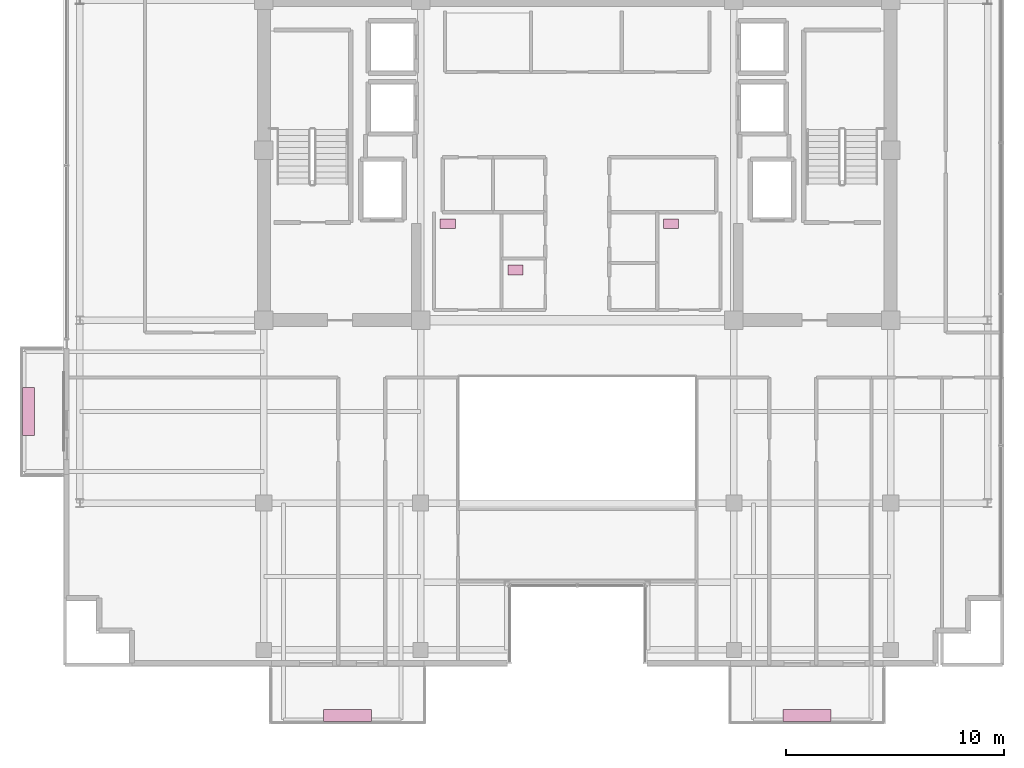
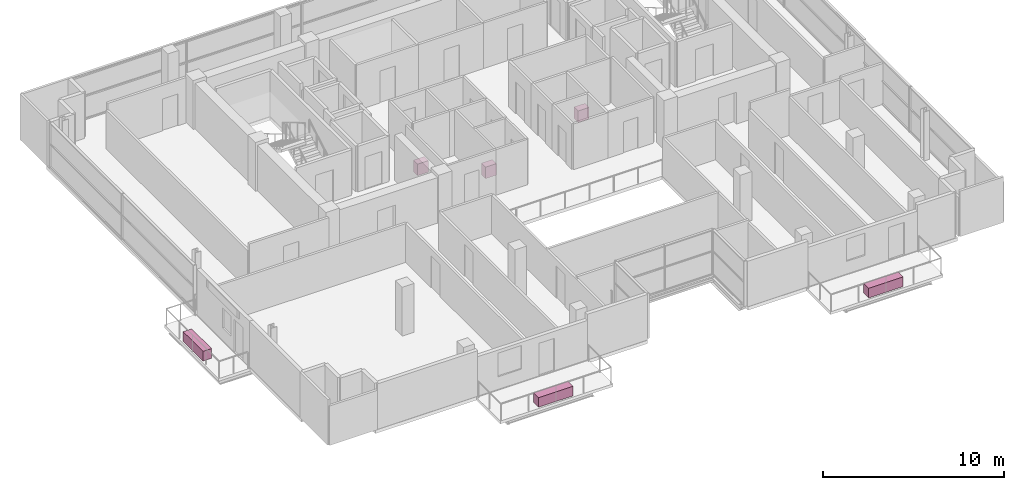
# One storey, part 22 of 22: 6 furnishings.
"""IFC4 building model written with IfcOpenShell, lengths in metres."""

from ifc_helpers import new_model, si_unit, direction, frame, origin, origin_2d, place, context, subcontext, project, spatial, rectangle, extrude, source, transform, mapped, material, type_object, element, save


model = new_model("IFC4")

# Units and contexts
model_context = context("Model", 3, precision=1e-05, world=origin(), true_north=direction((0.0, 1.0)))
body_context = subcontext(model_context, "Body", "Model", "MODEL_VIEW")
ifc_project = project(units=[si_unit("LENGTHUNIT", "METRE"), si_unit("AREAUNIT", "SQUARE_METRE"), si_unit("VOLUMEUNIT", "CUBIC_METRE"), si_unit("PLANEANGLEUNIT", "RADIAN"), si_unit("MASSUNIT", "GRAM", prefix="KILO")], contexts=[model_context])

# Site, building, storey
site_placement = place(None, origin())
site = spatial("IfcSite", under=ifc_project, at=site_placement, CompositionType="ELEMENT")
building_placement = place(site_placement, origin())
building = spatial("IfcBuilding", under=site, at=building_placement, Name="Zarnakvel Exchange Tower", CompositionType="ELEMENT")
storey_placement = place(building_placement, frame((0.0, 0.0, 222.10009765625)))
storey = spatial("IfcBuildingStorey", under=building, at=storey_placement, Name="L62", CompositionType="ELEMENT", Elevation=222.10009765625)

# Furnishings
ifc_material_1 = material(Name="Architectural Bronze Anodised Aluminium", Category="aluminium")
furnishing_element_type_1 = type_object("IfcFurnishingElementType", Name="PLNT-01", material=ifc_material_1)
shared_shape_1 = source(origin(), body_context, "Body", "SweptSolid", [
    extrude(rectangle(XDim=2.199951171875, YDim=0.550048828125, at=origin_2d()), origin(), (0.0, 0.0, 1.0), 0.64990234375),
])
for number, where, z_axis, x_axis, name in (
    (1, (-10.550048828125, -19.3701171875, -0.03515625), (0.0, 0.0, 1.0), (1.0, 0.0, 0.0), "L62 Balcony Greenery Planter BAL-L62-SW"),
    (2, (10.550048828125, -19.3701171875, -0.03515625), (0.0, 0.0, 1.0), (1.0, 0.0, 0.0), "L62 Balcony Greenery Planter BAL-L62-SE"),
    (3, (-25.219970703125, -5.39990234375, -0.03515625), (0.0, 0.0, 1.0), (0.0, 1.0, 0.0), "L62 Balcony Greenery Planter BAL-L62-W"),
):
    element("IfcFurnishingElement", number, at=place(storey_placement, frame(where, z_axis=z_axis, x_axis=x_axis)), inside=storey, type_object=furnishing_element_type_1, Name=name, ObjectType="PLANTER", context=body_context, shape_type="MappedRepresentation", body=[
        mapped(shared_shape_1, transform((0.0, 0.0, 0.0), x_axis=(1.0, 0.0, 0.0), y_axis=(0.0, 1.0, 0.0), z_axis=(0.0, 0.0, 1.0), scale=1.0)),
    ])
ifc_material_2 = material(Name="Vitreous China Sanitaryware", Category="ceramic")
furnishing_element_type_2 = type_object("IfcFurnishingElementType", Name="SAN-WC", material=ifc_material_2)
shared_shape_2 = source(origin(), body_context, "Body", "SweptSolid", [
    extrude(rectangle(XDim=0.699951171875, YDim=0.449951171875, at=origin_2d()), origin(), (0.0, 0.0, 1.0), 0.780029296875),
])
for number, where, z_axis, x_axis, name in (
    (4, (-5.949951171875, 3.22998046875, 0.0), (0.0, 0.0, 1.0), (1.0, 0.0, 0.0), "L62 Sanitary Fixture (Male Toilet)"),
    (5, (-2.840087890625, 1.10009765625, 0.0), (0.0, 0.0, 1.0), (1.0, 0.0, 0.0), "L62 Sanitary Fixture (Accessible Toilet)"),
    (6, (4.31005859375, 3.22998046875, 0.0), (0.0, 0.0, 1.0), (1.0, 0.0, 0.0), "L62 Sanitary Fixture (Female Toilet)"),
):
    element("IfcFurnishingElement", number, at=place(storey_placement, frame(where, z_axis=z_axis, x_axis=x_axis)), inside=storey, type_object=furnishing_element_type_2, Name=name, ObjectType="SANITARY_FIXTURE", context=body_context, shape_type="MappedRepresentation", body=[
        mapped(shared_shape_2, transform((0.0, 0.0, 0.0), x_axis=(1.0, 0.0, 0.0), y_axis=(0.0, 1.0, 0.0), z_axis=(0.0, 0.0, 1.0), scale=1.0)),
    ])

save(model, "model.ifc")
